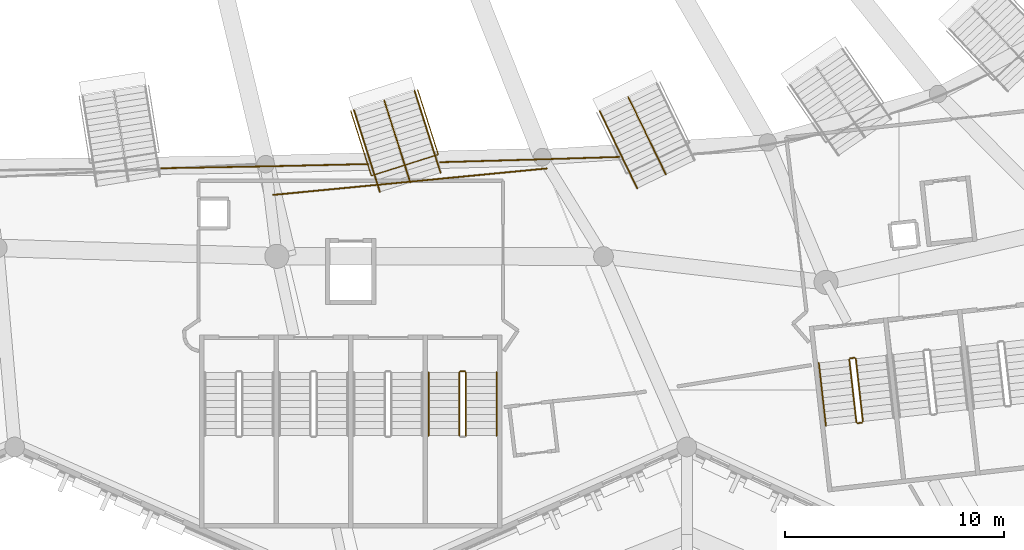
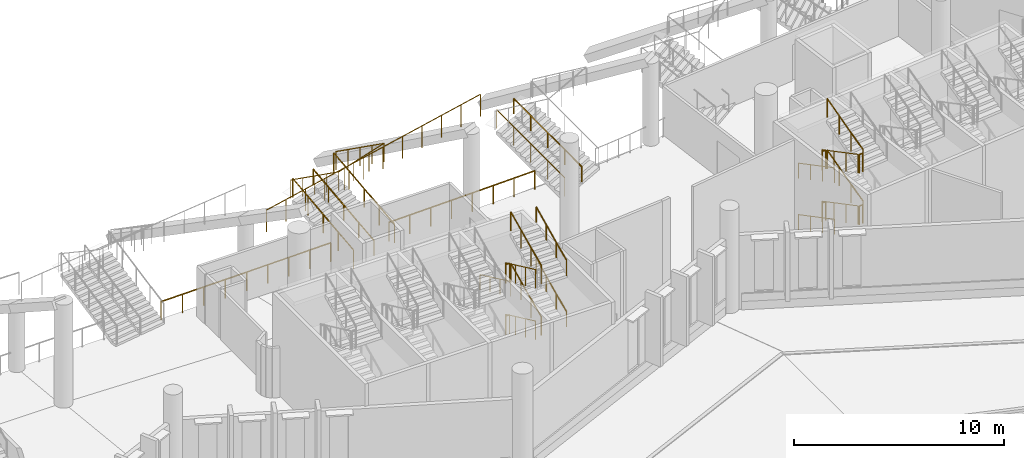
# One storey, part 128 of 173: 28 railings.
"""IFC4 building model written with IfcOpenShell, lengths in metres."""

from ifc_helpers import new_model, si_unit, direction, frame, origin, origin_2d, place, context, subcontext, project, spatial, circle, extrude, material, type_object, element, save


model = new_model("IFC4")

# Units and contexts
model_context = context("Model", 3, precision=1e-05, world=origin(), true_north=direction((0.0, 1.0)))
body_context = subcontext(model_context, "Body", "Model", "MODEL_VIEW")
ifc_project = project(units=[si_unit("LENGTHUNIT", "METRE"), si_unit("AREAUNIT", "SQUARE_METRE"), si_unit("VOLUMEUNIT", "CUBIC_METRE"), si_unit("PLANEANGLEUNIT", "RADIAN"), si_unit("MASSUNIT", "GRAM", prefix="KILO")], contexts=[model_context])

# Site, building, storey
site_placement = place(None, origin())
site = spatial("IfcSite", under=ifc_project, at=site_placement, CompositionType="ELEMENT")
building_placement = place(site_placement, origin())
building = spatial("IfcBuilding", under=site, at=building_placement, Name="Meseta Stadium", CompositionType="ELEMENT")
storey_placement = place(building_placement, frame((0.0, 0.0, 18.0)))
storey = spatial("IfcBuildingStorey", under=building, at=storey_placement, Name="L03", CompositionType="ELEMENT", Elevation=18.0)

# Railings
ifc_material_1 = material(Name="Steel S355", Category="steel")
railing_type_1 = type_object("IfcRailingType", Name="Plate edge guard 1100", PredefinedType="GUARDRAIL", material=ifc_material_1)
railing_1_placement = place(storey_placement, frame((14.34326171875, -85.88427734375, 0.0)))
element("IfcRailing", 1, at=railing_1_placement, inside=storey, type_object=railing_type_1, Name="L03 inner edge guard 49", PredefinedType="GUARDRAIL", context=body_context, shape_type="SweptSolid", body=[
    extrude(circle(Radius=0.02490234375, at=origin_2d()), frame((0.0, 0.0, 1.0751953125), z_axis=(0.999837325098, 0.018036721983, 0.0), x_axis=(-0.018036721983, 0.999837325098, 0.0)), (0.0, 0.0, 1.0), 4.778076171875),
    extrude(circle(Radius=0.02490234375, at=origin_2d()), frame((4.77734375, 0.086181640625, 1.0751953125), z_axis=(0.99974860133, 0.022421733614, 0.0), x_axis=(-0.022421733614, 0.99974860133, 0.0)), (0.0, 0.0, 1.0), 4.68212890625),
    extrude(circle(Radius=0.02001953125, at=origin_2d()), origin(), (0.0, 0.0, 1.0), 1.050048828125),
    extrude(circle(Radius=0.02001953125, at=origin_2d()), frame((1.1943359375, 0.021484375, 0.0)), (0.0, 0.0, 1.0), 1.050048828125),
    extrude(circle(Radius=0.02001953125, at=origin_2d()), frame((2.388671875, 0.04296875, 0.0)), (0.0, 0.0, 1.0), 1.050048828125),
    extrude(circle(Radius=0.02001953125, at=origin_2d()), frame((3.5830078125, 0.064697265625, 0.0)), (0.0, 0.0, 1.0), 1.050048828125),
    extrude(circle(Radius=0.02001953125, at=origin_2d()), frame((4.77734375, 0.086181640625, 0.0)), (0.0, 0.0, 1.0), 1.050048828125),
    extrude(circle(Radius=0.02001953125, at=origin_2d()), frame((5.947509765625, 0.1123046875, 0.0)), (0.0, 0.0, 1.0), 1.050048828125),
    extrude(circle(Radius=0.02001953125, at=origin_2d()), frame((7.11767578125, 0.138671875, 0.0)), (0.0, 0.0, 1.0), 1.050048828125),
    extrude(circle(Radius=0.02001953125, at=origin_2d()), frame((8.2880859375, 0.1650390625, 0.0)), (0.0, 0.0, 1.0), 1.050048828125),
    extrude(circle(Radius=0.02001953125, at=origin_2d()), frame((9.458251953125, 0.191162109375, 0.0)), (0.0, 0.0, 1.0), 1.050048828125),
])
railing_2_placement = place(storey_placement, frame((27.0693359375, -85.609375, 0.0)))
element("IfcRailing", 2, at=railing_2_placement, inside=storey, type_object=railing_type_1, Name="L03 inner edge guard 50", PredefinedType="GUARDRAIL", context=body_context, shape_type="SweptSolid", body=[
    extrude(circle(Radius=0.02490234375, at=origin_2d()), frame((0.0, 0.0, 1.0751953125), z_axis=(0.999597396645, 0.028373308227, 0.0), x_axis=(-0.028373308227, 0.999597396645, 0.0)), (0.0, 0.0, 1.0), 4.67236328125),
    extrude(circle(Radius=0.02490234375, at=origin_2d()), frame((4.67041015625, 0.132568359375, 1.0751953125), z_axis=(0.999521144506, 0.030943200959, 0.0), x_axis=(-0.030943200959, 0.999521144506, 0.0)), (0.0, 0.0, 1.0), 3.503173828125),
    extrude(circle(Radius=0.02001953125, at=origin_2d()), origin(), (0.0, 0.0, 1.0), 1.050048828125),
    extrude(circle(Radius=0.02001953125, at=origin_2d()), frame((1.16748046875, 0.033203125, 0.0)), (0.0, 0.0, 1.0), 1.050048828125),
    extrude(circle(Radius=0.02001953125, at=origin_2d()), frame((2.335205078125, 0.06640625, 0.0)), (0.0, 0.0, 1.0), 1.050048828125),
    extrude(circle(Radius=0.02001953125, at=origin_2d()), frame((3.5029296875, 0.099365234375, 0.0)), (0.0, 0.0, 1.0), 1.050048828125),
    extrude(circle(Radius=0.02001953125, at=origin_2d()), frame((4.67041015625, 0.132568359375, 0.0)), (0.0, 0.0, 1.0), 1.050048828125),
    extrude(circle(Radius=0.02001953125, at=origin_2d()), frame((5.837646484375, 0.168701171875, 0.0)), (0.0, 0.0, 1.0), 1.050048828125),
    extrude(circle(Radius=0.02001953125, at=origin_2d()), frame((7.004638671875, 0.204833984375, 0.0)), (0.0, 0.0, 1.0), 1.050048828125),
    extrude(circle(Radius=0.02001953125, at=origin_2d()), frame((8.171875, 0.240966796875, 0.0)), (0.0, 0.0, 1.0), 1.050048828125),
])
ifc_material_2 = material(Name="Steel S355", Category="steel")
railing_type_2 = type_object("IfcRailingType", Name="Stair guard 1100", PredefinedType="GUARDRAIL", material=ifc_material_2)
railing_3_placement = place(storey_placement, frame((27.949951171875, -95.199951171875, 0.14990234375)))
element("IfcRailing", 3, at=railing_3_placement, inside=storey, type_object=railing_type_2, Name="ST100 L03 guard 1", PredefinedType="GUARDRAIL", context=body_context, shape_type="SweptSolid", body=[
    extrude(circle(Radius=0.02392578125, at=origin_2d()), frame((0.0, 0.0, 1.076171875), z_axis=(0.0, -0.905454327043, 0.424443708447), x_axis=(1.0, 0.0, 0.0)), (0.0, 0.0, 1.0), 3.180908203125),
    extrude(circle(Radius=0.02099609375, at=origin_2d()), origin(), (0.0, 0.0, 1.0), 1.052001953125),
    extrude(circle(Radius=0.02099609375, at=origin_2d()), frame((0.0, -0.9599609375, 0.449951171875)), (0.0, 0.0, 1.0), 1.052001953125),
    extrude(circle(Radius=0.02099609375, at=origin_2d()), frame((0.0, -1.920166015625, 0.900146484375)), (0.0, 0.0, 1.0), 1.052001953125),
    extrude(circle(Radius=0.02099609375, at=origin_2d()), frame((0.0, -2.880126953125, 1.35009765625)), (0.0, 0.0, 1.0), 1.052001953125),
])
railing_4_placement = place(storey_placement, frame((28.25, -98.080078125, 1.64990234375)))
element("IfcRailing", 4, at=railing_4_placement, inside=storey, type_object=railing_type_2, Name="ST100 L03 guard 3", PredefinedType="GUARDRAIL", context=body_context, shape_type="SweptSolid", body=[
    extrude(circle(Radius=0.02392578125, at=origin_2d()), frame((0.0, 0.0, 1.076171875), z_axis=(0.0, 0.905454327043, 0.424443708447), x_axis=(-1.0, 0.0, 0.0)), (0.0, 0.0, 1.0), 3.180908203125),
    extrude(circle(Radius=0.02099609375, at=origin_2d()), origin(), (0.0, 0.0, 1.0), 1.052001953125),
    extrude(circle(Radius=0.02099609375, at=origin_2d()), frame((0.0, 0.9599609375, 0.449951171875)), (0.0, 0.0, 1.0), 1.052001953125),
    extrude(circle(Radius=0.02099609375, at=origin_2d()), frame((0.0, 1.920166015625, 0.900146484375)), (0.0, 0.0, 1.0), 1.052001953125),
    extrude(circle(Radius=0.02099609375, at=origin_2d()), frame((0.0, 2.880126953125, 1.35009765625)), (0.0, 0.0, 1.0), 1.052001953125),
])
railing_5_placement = place(storey_placement, frame((28.0, -95.14990234375, 3.0)))
element("IfcRailing", 5, at=railing_5_placement, inside=storey, type_object=railing_type_2, Name="ST100 L03 guard 4", PredefinedType="GUARDRAIL", context=body_context, shape_type="SweptSolid", body=[
    extrude(circle(Radius=0.02392578125, at=origin_2d()), frame((0.0, 0.0, 1.076171875), z_axis=(1.0, 0.0, 0.0), x_axis=(0.0, 1.0, 0.0)), (0.0, 0.0, 1.0), 0.199951171875),
    extrude(circle(Radius=0.02099609375, at=origin_2d()), origin(), (0.0, 0.0, 1.0), 1.052001953125),
    extrude(circle(Radius=0.02099609375, at=origin_2d()), frame((0.199951171875, 0.0, 0.0)), (0.0, 0.0, 1.0), 1.052001953125),
])
railing_6_placement = place(storey_placement, frame((27.949951171875, -95.199951171875, 3.14990234375)))
element("IfcRailing", 6, at=railing_6_placement, inside=storey, type_object=railing_type_2, Name="ST100 L03 guard 5", PredefinedType="GUARDRAIL", context=body_context, shape_type="SweptSolid", body=[
    extrude(circle(Radius=0.02392578125, at=origin_2d()), frame((0.0, 0.0, 1.076171875), z_axis=(0.0, -0.905454327043, 0.424443708447), x_axis=(1.0, 0.0, 0.0)), (0.0, 0.0, 1.0), 3.180908203125),
    extrude(circle(Radius=0.02099609375, at=origin_2d()), origin(), (0.0, 0.0, 1.0), 1.052001953125),
    extrude(circle(Radius=0.02099609375, at=origin_2d()), frame((0.0, -0.9599609375, 0.449951171875)), (0.0, 0.0, 1.0), 1.052001953125),
    extrude(circle(Radius=0.02099609375, at=origin_2d()), frame((0.0, -1.920166015625, 0.900146484375)), (0.0, 0.0, 1.0), 1.052001953125),
    extrude(circle(Radius=0.02099609375, at=origin_2d()), frame((0.0, -2.880126953125, 1.35009765625)), (0.0, 0.0, 1.0), 1.052001953125),
])
railing_7_placement = place(storey_placement, frame((28.25, -98.080078125, 4.64990234375)))
element("IfcRailing", 7, at=railing_7_placement, inside=storey, type_object=railing_type_2, Name="ST100 L03 guard 7", PredefinedType="GUARDRAIL", context=body_context, shape_type="SweptSolid", body=[
    extrude(circle(Radius=0.02392578125, at=origin_2d()), frame((0.0, 0.0, 1.076171875), z_axis=(0.0, 0.905454327043, 0.424443708447), x_axis=(-1.0, 0.0, 0.0)), (0.0, 0.0, 1.0), 3.180908203125),
    extrude(circle(Radius=0.02099609375, at=origin_2d()), origin(), (0.0, 0.0, 1.0), 1.052001953125),
    extrude(circle(Radius=0.02099609375, at=origin_2d()), frame((0.0, 0.9599609375, 0.449951171875)), (0.0, 0.0, 1.0), 1.052001953125),
    extrude(circle(Radius=0.02099609375, at=origin_2d()), frame((0.0, 1.920166015625, 0.900146484375)), (0.0, 0.0, 1.0), 1.052001953125),
    extrude(circle(Radius=0.02099609375, at=origin_2d()), frame((0.0, 2.880126953125, 1.35009765625)), (0.0, 0.0, 1.0), 1.052001953125),
])
railing_8_placement = place(storey_placement, frame((28.0, -95.14990234375, 0.0)))
element("IfcRailing", 8, at=railing_8_placement, inside=storey, type_object=railing_type_2, Name="ST100 L03 guard 8", PredefinedType="GUARDRAIL", context=body_context, shape_type="SweptSolid", body=[
    extrude(circle(Radius=0.02392578125, at=origin_2d()), frame((0.0, 0.0, 1.076171875), z_axis=(1.0, 0.0, 0.0), x_axis=(0.0, 1.0, 0.0)), (0.0, 0.0, 1.0), 0.199951171875),
    extrude(circle(Radius=0.02099609375, at=origin_2d()), origin(), (0.0, 0.0, 1.0), 1.052001953125),
    extrude(circle(Radius=0.02099609375, at=origin_2d()), frame((0.199951171875, 0.0, 0.0)), (0.0, 0.0, 1.0), 1.052001953125),
])
railing_9_placement = place(storey_placement, frame((45.742919921875, -94.609375, 0.14990234375)))
element("IfcRailing", 9, at=railing_9_placement, inside=storey, type_object=railing_type_2, Name="ST101 L03 guard 1", PredefinedType="GUARDRAIL", context=body_context, shape_type="SweptSolid", body=[
    extrude(circle(Radius=0.02392578125, at=origin_2d()), frame((0.0, 0.0, 1.076171875), z_axis=(0.10139626197, -0.899747905232, 0.424467319223), x_axis=(0.993709872468, 0.111985219376, 0.0)), (0.0, 0.0, 1.0), 3.1806640625),
    extrude(circle(Radius=0.02099609375, at=origin_2d()), origin(), (0.0, 0.0, 1.0), 1.052001953125),
    extrude(circle(Radius=0.02099609375, at=origin_2d()), frame((0.107421875, -0.953857421875, 0.449951171875)), (0.0, 0.0, 1.0), 1.052001953125),
    extrude(circle(Radius=0.02099609375, at=origin_2d()), frame((0.215087890625, -1.907958984375, 0.900146484375)), (0.0, 0.0, 1.0), 1.052001953125),
    extrude(circle(Radius=0.02099609375, at=origin_2d()), frame((0.322509765625, -2.86181640625, 1.35009765625)), (0.0, 0.0, 1.0), 1.052001953125),
])
railing_10_placement = place(storey_placement, frame((46.120849609375, -97.51513671875, 1.5)))
element("IfcRailing", 10, at=railing_10_placement, inside=storey, type_object=railing_type_2, Name="ST101 L03 guard 2", PredefinedType="GUARDRAIL", context=body_context, shape_type="SweptSolid", body=[
    extrude(circle(Radius=0.02392578125, at=origin_2d()), frame((0.0, 0.0, 1.076171875), z_axis=(0.993809063983, 0.111101504696, 0.0), x_axis=(-0.111101504696, 0.993809063983, 0.0)), (0.0, 0.0, 1.0), 0.199951171875),
    extrude(circle(Radius=0.02099609375, at=origin_2d()), origin(), (0.0, 0.0, 1.0), 1.052001953125),
    extrude(circle(Radius=0.02099609375, at=origin_2d()), frame((0.19873046875, 0.022216796875, 0.0)), (0.0, 0.0, 1.0), 1.052001953125),
])
railing_11_placement = place(storey_placement, frame((46.363525390625, -97.4375, 1.64990234375)))
element("IfcRailing", 11, at=railing_11_placement, inside=storey, type_object=railing_type_2, Name="ST101 L03 guard 3", PredefinedType="GUARDRAIL", context=body_context, shape_type="SweptSolid", body=[
    extrude(circle(Radius=0.02392578125, at=origin_2d()), frame((0.0, 0.0, 1.076171875), z_axis=(-0.101320293039, 0.899754905305, 0.424470621595), x_axis=(-0.993719302648, -0.111901508232, 0.0)), (0.0, 0.0, 1.0), 3.1806640625),
    extrude(circle(Radius=0.02099609375, at=origin_2d()), origin(), (0.0, 0.0, 1.0), 1.052001953125),
    extrude(circle(Radius=0.02099609375, at=origin_2d()), frame((-0.107421875, 0.953857421875, 0.449951171875)), (0.0, 0.0, 1.0), 1.052001953125),
    extrude(circle(Radius=0.02099609375, at=origin_2d()), frame((-0.21484375, 1.907958984375, 0.900146484375)), (0.0, 0.0, 1.0), 1.052001953125),
    extrude(circle(Radius=0.02099609375, at=origin_2d()), frame((-0.322265625, 2.86181640625, 1.35009765625)), (0.0, 0.0, 1.0), 1.052001953125),
])
railing_12_placement = place(storey_placement, frame((45.787109375, -94.553955078125, 3.0)))
element("IfcRailing", 12, at=railing_12_placement, inside=storey, type_object=railing_type_2, Name="ST101 L03 guard 4", PredefinedType="GUARDRAIL", context=body_context, shape_type="SweptSolid", body=[
    extrude(circle(Radius=0.02392578125, at=origin_2d()), frame((0.0, 0.0, 1.076171875), z_axis=(0.993673547442, 0.112307083986, 0.0), x_axis=(-0.112307083986, 0.993673547442, 0.0)), (0.0, 0.0, 1.0), 0.199951171875),
    extrude(circle(Radius=0.02099609375, at=origin_2d()), origin(), (0.0, 0.0, 1.0), 1.052001953125),
    extrude(circle(Radius=0.02099609375, at=origin_2d()), frame((0.19873046875, 0.0224609375, 0.0)), (0.0, 0.0, 1.0), 1.052001953125),
])
railing_13_placement = place(storey_placement, frame((45.742919921875, -94.609375, 3.14990234375)))
element("IfcRailing", 13, at=railing_13_placement, inside=storey, type_object=railing_type_2, Name="ST101 L03 guard 5", PredefinedType="GUARDRAIL", context=body_context, shape_type="SweptSolid", body=[
    extrude(circle(Radius=0.02392578125, at=origin_2d()), frame((0.0, 0.0, 1.076171875), z_axis=(0.10139626197, -0.899747905232, 0.424467319223), x_axis=(0.993709872468, 0.111985219376, 0.0)), (0.0, 0.0, 1.0), 3.1806640625),
    extrude(circle(Radius=0.02099609375, at=origin_2d()), origin(), (0.0, 0.0, 1.0), 1.052001953125),
    extrude(circle(Radius=0.02099609375, at=origin_2d()), frame((0.107421875, -0.953857421875, 0.449951171875)), (0.0, 0.0, 1.0), 1.052001953125),
    extrude(circle(Radius=0.02099609375, at=origin_2d()), frame((0.215087890625, -1.907958984375, 0.900146484375)), (0.0, 0.0, 1.0), 1.052001953125),
    extrude(circle(Radius=0.02099609375, at=origin_2d()), frame((0.322509765625, -2.86181640625, 1.35009765625)), (0.0, 0.0, 1.0), 1.052001953125),
])
railing_14_placement = place(storey_placement, frame((46.120849609375, -97.51513671875, 4.5)))
element("IfcRailing", 14, at=railing_14_placement, inside=storey, type_object=railing_type_2, Name="ST101 L03 guard 6", PredefinedType="GUARDRAIL", context=body_context, shape_type="SweptSolid", body=[
    extrude(circle(Radius=0.02392578125, at=origin_2d()), frame((0.0, 0.0, 1.076171875), z_axis=(0.993809063983, 0.111101504696, 0.0), x_axis=(-0.111101504696, 0.993809063983, 0.0)), (0.0, 0.0, 1.0), 0.199951171875),
    extrude(circle(Radius=0.02099609375, at=origin_2d()), origin(), (0.0, 0.0, 1.0), 1.052001953125),
    extrude(circle(Radius=0.02099609375, at=origin_2d()), frame((0.19873046875, 0.022216796875, 0.0)), (0.0, 0.0, 1.0), 1.052001953125),
])
railing_15_placement = place(storey_placement, frame((46.363525390625, -97.4375, 4.64990234375)))
element("IfcRailing", 15, at=railing_15_placement, inside=storey, type_object=railing_type_2, Name="ST101 L03 guard 7", PredefinedType="GUARDRAIL", context=body_context, shape_type="SweptSolid", body=[
    extrude(circle(Radius=0.02392578125, at=origin_2d()), frame((0.0, 0.0, 1.076171875), z_axis=(-0.101320293039, 0.899754905305, 0.424470621595), x_axis=(-0.993719302648, -0.111901508232, 0.0)), (0.0, 0.0, 1.0), 3.1806640625),
    extrude(circle(Radius=0.02099609375, at=origin_2d()), origin(), (0.0, 0.0, 1.0), 1.052001953125),
    extrude(circle(Radius=0.02099609375, at=origin_2d()), frame((-0.107421875, 0.953857421875, 0.449951171875)), (0.0, 0.0, 1.0), 1.052001953125),
    extrude(circle(Radius=0.02099609375, at=origin_2d()), frame((-0.21484375, 1.907958984375, 0.900146484375)), (0.0, 0.0, 1.0), 1.052001953125),
    extrude(circle(Radius=0.02099609375, at=origin_2d()), frame((-0.322265625, 2.86181640625, 1.35009765625)), (0.0, 0.0, 1.0), 1.052001953125),
])
railing_16_placement = place(storey_placement, frame((45.787109375, -94.553955078125, 0.0)))
element("IfcRailing", 16, at=railing_16_placement, inside=storey, type_object=railing_type_2, Name="ST101 L03 guard 8", PredefinedType="GUARDRAIL", context=body_context, shape_type="SweptSolid", body=[
    extrude(circle(Radius=0.02392578125, at=origin_2d()), frame((0.0, 0.0, 1.076171875), z_axis=(0.993673547442, 0.112307083986, 0.0), x_axis=(-0.112307083986, 0.993673547442, 0.0)), (0.0, 0.0, 1.0), 0.199951171875),
    extrude(circle(Radius=0.02099609375, at=origin_2d()), origin(), (0.0, 0.0, 1.0), 1.052001953125),
    extrude(circle(Radius=0.02099609375, at=origin_2d()), frame((0.19873046875, 0.0224609375, 0.0)), (0.0, 0.0, 1.0), 1.052001953125),
])
ifc_material_3 = material(Name="Steel S355", Category="steel")
railing_type_3 = type_object("IfcRailingType", Name="Stair handrail 900", PredefinedType="HANDRAIL", material=ifc_material_3)
railing_17_placement = place(storey_placement, frame((29.64990234375, -98.080078125, 1.64990234375)))
element("IfcRailing", 17, at=railing_17_placement, inside=storey, type_object=railing_type_3, Name="ST100 L03 handrail 2", PredefinedType="HANDRAIL", context=body_context, shape_type="SweptSolid", body=[
    extrude(circle(Radius=0.02392578125, at=origin_2d()), frame((0.0, 0.0, 0.8759765625), z_axis=(0.0, 0.905454327043, 0.424443708447), x_axis=(-1.0, 0.0, 0.0)), (0.0, 0.0, 1.0), 3.180908203125),
    extrude(circle(Radius=0.02099609375, at=origin_2d()), origin(), (0.0, 0.0, 1.0), 0.851806640625),
    extrude(circle(Radius=0.02099609375, at=origin_2d()), frame((0.0, 0.9599609375, 0.449951171875)), (0.0, 0.0, 1.0), 0.851806640625),
    extrude(circle(Radius=0.02099609375, at=origin_2d()), frame((0.0, 1.920166015625, 0.900146484375)), (0.0, 0.0, 1.0), 0.851806640625),
    extrude(circle(Radius=0.02099609375, at=origin_2d()), frame((0.0, 2.880126953125, 1.35009765625)), (0.0, 0.0, 1.0), 0.851806640625),
])
railing_18_placement = place(storey_placement, frame((26.550048828125, -95.199951171875, 3.14990234375)))
element("IfcRailing", 18, at=railing_18_placement, inside=storey, type_object=railing_type_3, Name="ST100 L03 handrail 3", PredefinedType="HANDRAIL", context=body_context, shape_type="SweptSolid", body=[
    extrude(circle(Radius=0.02392578125, at=origin_2d()), frame((0.0, 0.0, 0.8759765625), z_axis=(0.0, -0.905454327043, 0.424443708447), x_axis=(1.0, 0.0, 0.0)), (0.0, 0.0, 1.0), 3.180908203125),
    extrude(circle(Radius=0.02099609375, at=origin_2d()), origin(), (0.0, 0.0, 1.0), 0.851806640625),
    extrude(circle(Radius=0.02099609375, at=origin_2d()), frame((0.0, -0.9599609375, 0.449951171875)), (0.0, 0.0, 1.0), 0.851806640625),
    extrude(circle(Radius=0.02099609375, at=origin_2d()), frame((0.0, -1.920166015625, 0.900146484375)), (0.0, 0.0, 1.0), 0.851806640625),
    extrude(circle(Radius=0.02099609375, at=origin_2d()), frame((0.0, -2.880126953125, 1.35009765625)), (0.0, 0.0, 1.0), 0.851806640625),
])
railing_19_placement = place(storey_placement, frame((29.64990234375, -98.080078125, 4.64990234375)))
element("IfcRailing", 19, at=railing_19_placement, inside=storey, type_object=railing_type_3, Name="ST100 L03 handrail 4", PredefinedType="HANDRAIL", context=body_context, shape_type="SweptSolid", body=[
    extrude(circle(Radius=0.02392578125, at=origin_2d()), frame((0.0, 0.0, 0.8759765625), z_axis=(0.0, 0.905454327043, 0.424443708447), x_axis=(-1.0, 0.0, 0.0)), (0.0, 0.0, 1.0), 3.180908203125),
    extrude(circle(Radius=0.02099609375, at=origin_2d()), origin(), (0.0, 0.0, 1.0), 0.851806640625),
    extrude(circle(Radius=0.02099609375, at=origin_2d()), frame((0.0, 0.9599609375, 0.449951171875)), (0.0, 0.0, 1.0), 0.851806640625),
    extrude(circle(Radius=0.02099609375, at=origin_2d()), frame((0.0, 1.920166015625, 0.900146484375)), (0.0, 0.0, 1.0), 0.851806640625),
    extrude(circle(Radius=0.02099609375, at=origin_2d()), frame((0.0, 2.880126953125, 1.35009765625)), (0.0, 0.0, 1.0), 0.851806640625),
])
for number, where, name in (
    (20, (44.351806640625, -94.76611328125, 0.14990234375), "ST101 L03 handrail 1"),
    (21, (44.351806640625, -94.76611328125, 3.14990234375), "ST101 L03 handrail 3"),
):
    element("IfcRailing", number, at=place(storey_placement, frame(where)), inside=storey, type_object=railing_type_3, Name=name, PredefinedType="HANDRAIL", context=body_context, shape_type="SweptSolid", body=[
        extrude(circle(Radius=0.02392578125, at=origin_2d()), frame((0.0, 0.0, 0.8759765625), z_axis=(0.10139626197, -0.899747905232, 0.424467319223), x_axis=(0.993709872468, 0.111985219376, 0.0)), (0.0, 0.0, 1.0), 3.1806640625),
        extrude(circle(Radius=0.02099609375, at=origin_2d()), origin(), (0.0, 0.0, 1.0), 0.851806640625),
        extrude(circle(Radius=0.02099609375, at=origin_2d()), frame((0.107421875, -0.953857421875, 0.449951171875)), (0.0, 0.0, 1.0), 0.851806640625),
        extrude(circle(Radius=0.02099609375, at=origin_2d()), frame((0.215087890625, -1.907958984375, 0.900146484375)), (0.0, 0.0, 1.0), 0.851806640625),
        extrude(circle(Radius=0.02099609375, at=origin_2d()), frame((0.322509765625, -2.86181640625, 1.35009765625)), (0.0, 0.0, 1.0), 0.851806640625),
    ])
ifc_material_4 = material(Name="Steel S355", Category="steel")
railing_type_4 = type_object("IfcRailingType", Name="Stand rear guard 1300", PredefinedType="GUARDRAIL", material=ifc_material_4)
railing_20_placement = place(storey_placement, frame((19.452880859375, -87.1015625, 4.0849609375)))
element("IfcRailing", 22, at=railing_20_placement, inside=storey, type_object=railing_type_4, Name="Stand upper tier rear guard bay 49", PredefinedType="GUARDRAIL", context=body_context, shape_type="SweptSolid", body=[
    extrude(circle(Radius=0.02490234375, at=origin_2d()), frame((0.0, 0.0, 1.27490234375), z_axis=(0.986940662175, 0.095342978526, 0.129837767196), x_axis=(-0.096156922731, 0.995366186994, 0.0)), (0.0, 0.0, 1.0), 12.65478515625),
    extrude(circle(Radius=0.02001953125, at=origin_2d()), origin(), (0.0, 0.0, 1.0), 1.25),
    extrude(circle(Radius=0.02001953125, at=origin_2d()), frame((1.135498046875, 0.109619140625, 0.1494140625)), (0.0, 0.0, 1.0), 1.25),
    extrude(circle(Radius=0.02001953125, at=origin_2d()), frame((2.270751953125, 0.219482421875, 0.298828125)), (0.0, 0.0, 1.0), 1.25),
    extrude(circle(Radius=0.02001953125, at=origin_2d()), frame((3.40625, 0.3291015625, 0.447998046875)), (0.0, 0.0, 1.0), 1.25),
    extrude(circle(Radius=0.02001953125, at=origin_2d()), frame((4.541748046875, 0.438720703125, 0.597412109375)), (0.0, 0.0, 1.0), 1.25),
    extrude(circle(Radius=0.02001953125, at=origin_2d()), frame((5.677001953125, 0.54833984375, 0.746826171875)), (0.0, 0.0, 1.0), 1.25),
    extrude(circle(Radius=0.02001953125, at=origin_2d()), frame((6.8125, 0.658203125, 0.896240234375)), (0.0, 0.0, 1.0), 1.25),
    extrude(circle(Radius=0.02001953125, at=origin_2d()), frame((7.94775390625, 0.767822265625, 1.045654296875)), (0.0, 0.0, 1.0), 1.25),
    extrude(circle(Radius=0.02001953125, at=origin_2d()), frame((9.083251953125, 0.87744140625, 1.195068359375)), (0.0, 0.0, 1.0), 1.25),
    extrude(circle(Radius=0.02001953125, at=origin_2d()), frame((10.21875, 0.987060546875, 1.34423828125)), (0.0, 0.0, 1.0), 1.25),
    extrude(circle(Radius=0.02001953125, at=origin_2d()), frame((11.35400390625, 1.096923828125, 1.49365234375)), (0.0, 0.0, 1.0), 1.25),
    extrude(circle(Radius=0.02001953125, at=origin_2d()), frame((12.489501953125, 1.20654296875, 1.64306640625)), (0.0, 0.0, 1.0), 1.25),
])
ifc_material_5 = material(Name="Steel S355", Category="steel")
railing_type_5 = type_object("IfcRailingType", Name="Vomitory slot guard 1100", PredefinedType="GUARDRAIL", material=ifc_material_5)
railing_21_placement = place(storey_placement, frame((26.0517578125, -82.3046875, 2.475341796875)))
element("IfcRailing", 23, at=railing_21_placement, inside=storey, type_object=railing_type_5, Name="Vomitory V-upper-49 slot guard", PredefinedType="GUARDRAIL", context=body_context, shape_type="SweptSolid", body=[
    extrude(circle(Radius=0.02490234375, at=origin_2d()), frame((0.0, 0.0, 1.0751953125), z_axis=(0.25659020607, -0.808239113447, 0.530010378807), x_axis=(0.95312210395, 0.302585946404, 0.0)), (0.0, 0.0, 1.0), 3.655517578125),
    extrude(circle(Radius=0.02490234375, at=origin_2d()), frame((0.93798828125, -2.95458984375, 3.0126953125), z_axis=(-0.953124965633, -0.302576932178, 0.0), x_axis=(0.302576932178, -0.953124965633, 0.0)), (0.0, 0.0, 1.0), 3.199951171875),
    extrude(circle(Radius=0.02490234375, at=origin_2d()), frame((-2.112060546875, -3.9228515625, 3.0126953125), z_axis=(-0.25659020607, 0.808239113447, -0.530010378807), x_axis=(-0.95312210395, -0.302585946404, 0.0)), (0.0, 0.0, 1.0), 3.655517578125),
    extrude(circle(Radius=0.02001953125, at=origin_2d()), origin(), (0.0, 0.0, 1.0), 1.050048828125),
    extrude(circle(Radius=0.02001953125, at=origin_2d()), frame((0.234375, -0.73876953125, 0.484375)), (0.0, 0.0, 1.0), 1.050048828125),
    extrude(circle(Radius=0.02001953125, at=origin_2d()), frame((0.468994140625, -1.477294921875, 0.96875)), (0.0, 0.0, 1.0), 1.050048828125),
    extrude(circle(Radius=0.02001953125, at=origin_2d()), frame((0.70361328125, -2.2158203125, 1.453125)), (0.0, 0.0, 1.0), 1.050048828125),
    extrude(circle(Radius=0.02001953125, at=origin_2d()), frame((0.93798828125, -2.95458984375, 1.9375)), (0.0, 0.0, 1.0), 1.050048828125),
    extrude(circle(Radius=0.02001953125, at=origin_2d()), frame((-0.07861328125, -3.27734375, 1.9375)), (0.0, 0.0, 1.0), 1.050048828125),
    extrude(circle(Radius=0.02001953125, at=origin_2d()), frame((-1.095458984375, -3.60009765625, 1.9375)), (0.0, 0.0, 1.0), 1.050048828125),
    extrude(circle(Radius=0.02001953125, at=origin_2d()), frame((-2.112060546875, -3.9228515625, 1.9375)), (0.0, 0.0, 1.0), 1.050048828125),
    extrude(circle(Radius=0.02001953125, at=origin_2d()), frame((-2.3466796875, -3.18408203125, 1.453125)), (0.0, 0.0, 1.0), 1.050048828125),
    extrude(circle(Radius=0.02001953125, at=origin_2d()), frame((-2.5810546875, -2.445556640625, 0.96875)), (0.0, 0.0, 1.0), 1.050048828125),
    extrude(circle(Radius=0.02001953125, at=origin_2d()), frame((-2.8154296875, -1.70703125, 0.484375)), (0.0, 0.0, 1.0), 1.050048828125),
    extrude(circle(Radius=0.02001953125, at=origin_2d()), frame((-3.050048828125, -0.96826171875, 0.0)), (0.0, 0.0, 1.0), 1.050048828125),
])
ifc_material_6 = material(Name="Steel S355", Category="steel")
railing_type_6 = type_object("IfcRailingType", Name="Vomitory stair guard 1100", PredefinedType="GUARDRAIL", material=ifc_material_6)
railing_22_placement = place(storey_placement, frame((24.330810546875, -86.9638671875, 0.1650390625)))
element("IfcRailing", 24, at=railing_22_placement, inside=storey, type_object=railing_type_6, Name="Vomitory V-upper-49 guard left", PredefinedType="GUARDRAIL", context=body_context, shape_type="SweptSolid", body=[
    extrude(circle(Radius=0.02490234375, at=origin_2d()), frame((0.0, 0.0, 1.0751953125), z_axis=(-0.260655572565, 0.82113480497, 0.507736451871), x_axis=(-0.953131679436, -0.302555782717, 0.0)), (0.0, 0.0, 1.0), 4.55029296875),
    extrude(circle(Radius=0.02001953125, at=origin_2d()), origin(), (0.0, 0.0, 1.0), 1.050048828125),
    extrude(circle(Radius=0.02001953125, at=origin_2d()), frame((-0.29638671875, 0.93408203125, 0.57763671875)), (0.0, 0.0, 1.0), 1.050048828125),
    extrude(circle(Radius=0.02001953125, at=origin_2d()), frame((-0.593017578125, 1.8681640625, 1.1552734375)), (0.0, 0.0, 1.0), 1.050048828125),
    extrude(circle(Radius=0.02001953125, at=origin_2d()), frame((-0.8896484375, 2.80224609375, 1.732666015625)), (0.0, 0.0, 1.0), 1.050048828125),
    extrude(circle(Radius=0.02001953125, at=origin_2d()), frame((-1.18603515625, 3.736328125, 2.310302734375)), (0.0, 0.0, 1.0), 1.050048828125),
])
railing_23_placement = place(storey_placement, frame((27.0947265625, -86.086181640625, 0.1650390625)))
element("IfcRailing", 25, at=railing_23_placement, inside=storey, type_object=railing_type_6, Name="Vomitory V-upper-49 guard right", PredefinedType="GUARDRAIL", context=body_context, shape_type="SweptSolid", body=[
    extrude(circle(Radius=0.02490234375, at=origin_2d()), frame((0.0, 0.0, 1.0751953125), z_axis=(-0.260667056891, 0.82111732639, 0.507758822429), x_axis=(-0.953125977826, -0.302573743728, 0.0)), (0.0, 0.0, 1.0), 4.550048828125),
    extrude(circle(Radius=0.02001953125, at=origin_2d()), origin(), (0.0, 0.0, 1.0), 1.050048828125),
    extrude(circle(Radius=0.02001953125, at=origin_2d()), frame((-0.29638671875, 0.93408203125, 0.57763671875)), (0.0, 0.0, 1.0), 1.050048828125),
    extrude(circle(Radius=0.02001953125, at=origin_2d()), frame((-0.593017578125, 1.8681640625, 1.1552734375)), (0.0, 0.0, 1.0), 1.050048828125),
    extrude(circle(Radius=0.02001953125, at=origin_2d()), frame((-0.8896484375, 2.802001953125, 1.732666015625)), (0.0, 0.0, 1.0), 1.050048828125),
    extrude(circle(Radius=0.02001953125, at=origin_2d()), frame((-1.18603515625, 3.736083984375, 2.310302734375)), (0.0, 0.0, 1.0), 1.050048828125),
])
railing_24_placement = place(storey_placement, frame((36.07177734375, -86.799072265625, 0.17333984375)))
element("IfcRailing", 26, at=railing_24_placement, inside=storey, type_object=railing_type_6, Name="Vomitory V-upper-50 guard left", PredefinedType="GUARDRAIL", context=body_context, shape_type="SweptSolid", body=[
    extrude(circle(Radius=0.02490234375, at=origin_2d()), frame((0.0, 0.0, 1.0751953125), z_axis=(-0.372411688948, 0.764471377981, 0.526206277217), x_axis=(-0.899000557299, -0.437947483126, 0.0)), (0.0, 0.0, 1.0), 4.60986328125),
    extrude(circle(Radius=0.02001953125, at=origin_2d()), origin(), (0.0, 0.0, 1.0), 1.050048828125),
    extrude(circle(Radius=0.02001953125, at=origin_2d()), frame((-0.42919921875, 0.881103515625, 0.6064453125)), (0.0, 0.0, 1.0), 1.050048828125),
    extrude(circle(Radius=0.02001953125, at=origin_2d()), frame((-0.8583984375, 1.76220703125, 1.212890625)), (0.0, 0.0, 1.0), 1.050048828125),
    extrude(circle(Radius=0.02001953125, at=origin_2d()), frame((-1.28759765625, 2.64306640625, 1.8193359375)), (0.0, 0.0, 1.0), 1.050048828125),
    extrude(circle(Radius=0.02001953125, at=origin_2d()), frame((-1.716796875, 3.524169921875, 2.42578125)), (0.0, 0.0, 1.0), 1.050048828125),
])
ifc_material_7 = material(Name="Steel S355", Category="steel")
railing_type_7 = type_object("IfcRailingType", Name="Vomitory stair handrail 900", PredefinedType="HANDRAIL", material=ifc_material_7)
railing_25_placement = place(storey_placement, frame((25.712890625, -86.52490234375, 0.1650390625)))
element("IfcRailing", 27, at=railing_25_placement, inside=storey, type_object=railing_type_7, Name="Vomitory V-upper-49 central handrail", PredefinedType="HANDRAIL", context=body_context, shape_type="SweptSolid", body=[
    extrude(circle(Radius=0.02490234375, at=origin_2d()), frame((0.0, 0.0, 0.875), z_axis=(-0.260717067252, 0.82110584074, 0.507751719984), x_axis=(-0.953108014461, -0.302630323614, 0.0)), (0.0, 0.0, 1.0), 4.550048828125),
    extrude(circle(Radius=0.02001953125, at=origin_2d()), origin(), (0.0, 0.0, 1.0), 0.849853515625),
    extrude(circle(Radius=0.02001953125, at=origin_2d()), frame((-0.296630859375, 0.93408203125, 0.57763671875)), (0.0, 0.0, 1.0), 0.849853515625),
    extrude(circle(Radius=0.02001953125, at=origin_2d()), frame((-0.59326171875, 1.8681640625, 1.1552734375)), (0.0, 0.0, 1.0), 0.849853515625),
    extrude(circle(Radius=0.02001953125, at=origin_2d()), frame((-0.8896484375, 2.802001953125, 1.732666015625)), (0.0, 0.0, 1.0), 0.849853515625),
    extrude(circle(Radius=0.02001953125, at=origin_2d()), frame((-1.186279296875, 3.736083984375, 2.310302734375)), (0.0, 0.0, 1.0), 0.849853515625),
])
railing_26_placement = place(storey_placement, frame((37.375244140625, -86.1640625, 0.17333984375)))
element("IfcRailing", 28, at=railing_26_placement, inside=storey, type_object=railing_type_7, Name="Vomitory V-upper-50 central handrail", PredefinedType="HANDRAIL", context=body_context, shape_type="SweptSolid", body=[
    extrude(circle(Radius=0.02490234375, at=origin_2d()), frame((0.0, 0.0, 0.875), z_axis=(-0.372411688948, 0.764471377981, 0.526206277217), x_axis=(-0.899000557299, -0.437947483126, 0.0)), (0.0, 0.0, 1.0), 4.60986328125),
    extrude(circle(Radius=0.02001953125, at=origin_2d()), origin(), (0.0, 0.0, 1.0), 0.849853515625),
    extrude(circle(Radius=0.02001953125, at=origin_2d()), frame((-0.42919921875, 0.881103515625, 0.6064453125)), (0.0, 0.0, 1.0), 0.849853515625),
    extrude(circle(Radius=0.02001953125, at=origin_2d()), frame((-0.8583984375, 1.76220703125, 1.212890625)), (0.0, 0.0, 1.0), 0.849853515625),
    extrude(circle(Radius=0.02001953125, at=origin_2d()), frame((-1.28759765625, 2.64306640625, 1.8193359375)), (0.0, 0.0, 1.0), 0.849853515625),
    extrude(circle(Radius=0.02001953125, at=origin_2d()), frame((-1.716796875, 3.524169921875, 2.42578125)), (0.0, 0.0, 1.0), 0.849853515625),
])

save(model, "model.ifc")
